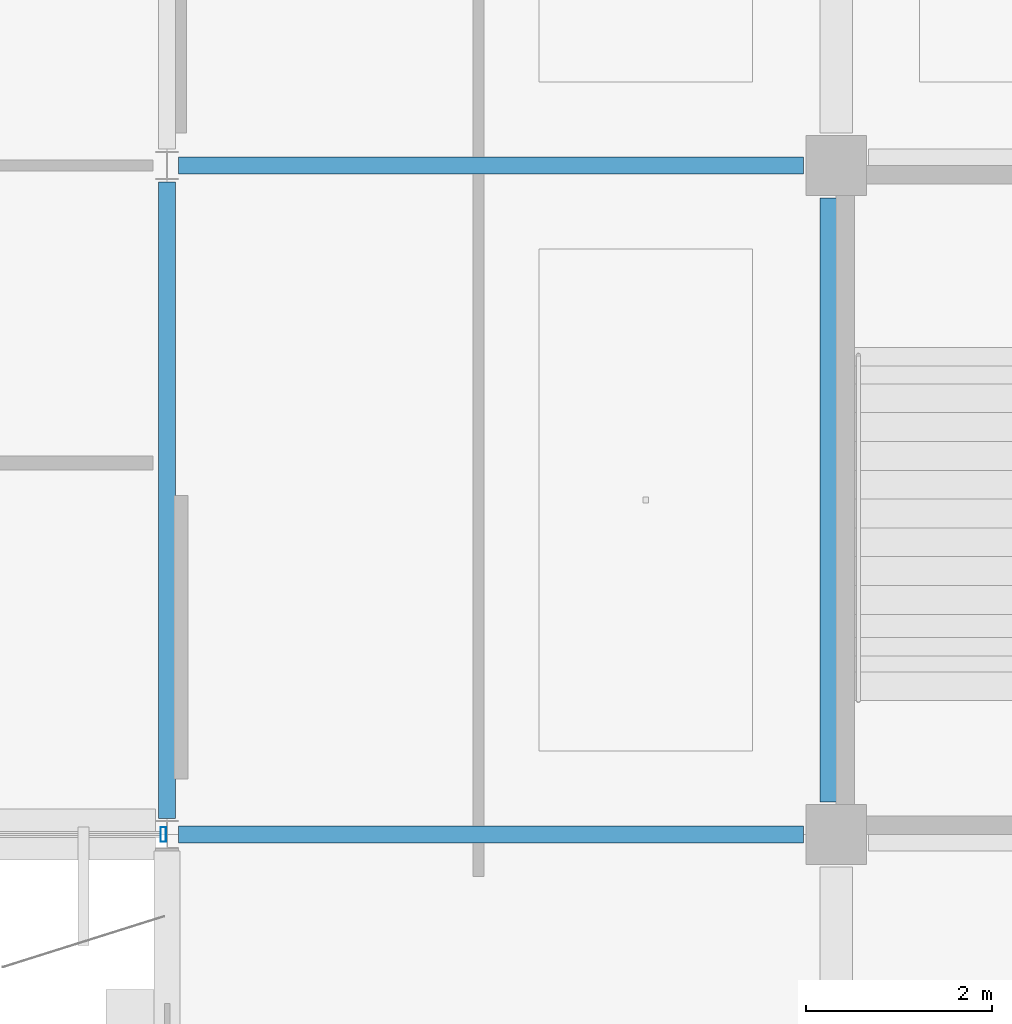
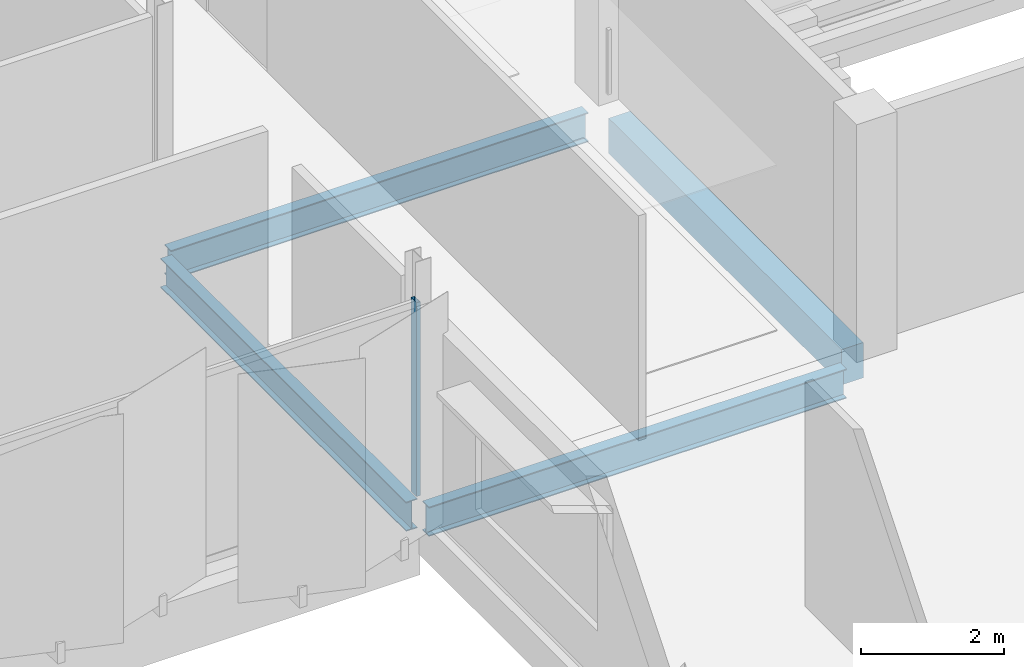
# One storey, part 40 of 77: 4 beams, 1 member, 1 element without a shape of its own.
"""IFC4 building model written with IfcOpenShell, lengths in metres."""

from ifc_helpers import new_model, si_unit, direction, frame, origin, origin_2d, place, context, subcontext, project, spatial, rectangle, hollow_rectangle, i_section, extrude, material, layer, layer_set, material_profile, profile_set, type_object, element, aggregate, save


model = new_model("IFC4")

# Units and contexts
model_context = context("Model", 3, precision=1e-05, world=origin(), true_north=direction((0.0, 1.0)))
body_context = subcontext(model_context, "Body", "Model", "MODEL_VIEW")
ifc_project = project(units=[si_unit("LENGTHUNIT", "METRE"), si_unit("AREAUNIT", "SQUARE_METRE"), si_unit("VOLUMEUNIT", "CUBIC_METRE"), si_unit("PLANEANGLEUNIT", "RADIAN"), si_unit("MASSUNIT", "GRAM", prefix="KILO")], contexts=[model_context])

# Site, building, storey
site_placement = place(None, origin())
site = spatial("IfcSite", under=ifc_project, at=site_placement, CompositionType="ELEMENT")
building_placement = place(site_placement, origin())
building = spatial("IfcBuilding", under=site, at=building_placement, Name="Kangsadwip Square Police Headquarters", CompositionType="ELEMENT")
storey_placement = place(building_placement, frame((0.0, 0.0, 17.550048828125)))
storey = spatial("IfcBuildingStorey", under=building, at=storey_placement, Name="L04", CompositionType="ELEMENT", Elevation=17.550048828125)

# Curtain wall, member
ifc_material_1 = material(Name="Thermally broken anodised aluminium AW-6063-T6", Category="aluminium")
ifc_layer = layer(ifc_material_1, 0.159912109375)
ifc_layer_set = layer_set([ifc_layer], Name="Thermally broken anodised aluminium AW-6063-T6")
curtain_wall_type = type_object("IfcCurtainWallType", Name="CourtScreen7180x3300", PredefinedType="USERDEFINED", material=ifc_layer_set)
curtain_wall_placement = place(storey_placement, origin())
curtain_wall = element("IfcCurtainWall", 1, at=curtain_wall_placement, inside=storey, type_object=curtain_wall_type, Name="Curtain Wall CW-L04-1368-0936", ObjectType="GLAZED_SCREEN", PredefinedType="USERDEFINED")
ifc_material_2 = material(Name="Thermally broken anodised aluminium AW-6063-T6", Category="aluminium")
ifc_material_profile_1 = material_profile(ifc_material_2, hollow_rectangle(XDim=0.06005859375, YDim=0.159912109375, WallThickness=0.00390625, at=origin_2d()), Name="CWM 160X60X4")
ifc_profile_set_1 = profile_set([ifc_material_profile_1], Name="Thermally broken anodised aluminium AW-6063-T6")
member_type = type_object("IfcMemberType", Name="CwMullion135x60", PredefinedType="MULLION", material=ifc_profile_set_1)
member_placement = place(storey_placement, frame((143.9599609375, 93.60009765625, 0.0), z_axis=(0.0, 0.0, 1.0), x_axis=(1.0, 0.0, 0.0)))
member = element("IfcMember", 2, at=member_placement, type_object=member_type, Name="CW-42 mullion 2", PredefinedType="MULLION", context=body_context, shape_type="SweptSolid", body=[
    extrude(hollow_rectangle(XDim=0.06005859375, YDim=0.159912109375, WallThickness=0.00390625, at=origin_2d()), origin(), (0.0, 0.0, 1.0), 3.300048828125),
])
aggregate(curtain_wall, [member])

# Beams
ifc_material_3 = material(Name="Concrete M35 (35 MPa)", Category="concrete")
ifc_material_profile_2 = material_profile(ifc_material_3, rectangle(XDim=0.35009765625, YDim=0.60009765625, at=origin_2d()), Name="RC BM 600X350")
ifc_profile_set_2 = profile_set([ifc_material_profile_2], Name="Concrete M35 (35 MPa)")
beam_type_1 = type_object("IfcBeamType", Name="RcBeam600x350", PredefinedType="BEAM", material=ifc_profile_set_2)
beam_1_placement = place(storey_placement, frame((151.199951171875, 93.949951171875, -0.5400390625), z_axis=(0.0, 1.0, 0.0), x_axis=(-1.0, 0.0, 0.0)))
element("IfcBeam", 3, at=beam_1_placement, inside=storey, type_object=beam_type_1, Name="Beam BM-L04-Y-21-13", PredefinedType="BEAM", context=body_context, shape_type="SweptSolid", body=[
    extrude(rectangle(XDim=0.35009765625, YDim=0.60009765625, at=origin_2d()), origin(), (0.0, 0.0, 1.0), 6.5),
])
ifc_material_4 = material(Name="Structural steel IS 2062 E350 (Grade 350, 350 MPa)", Category="steel")
ifc_material_profile_3 = material_profile(ifc_material_4, i_section(OverallWidth=0.179931640625, OverallDepth=0.5, WebThickness=0.01025390625, FlangeThickness=0.01708984375, at=origin_2d()), Name="ISMB 500")
ifc_profile_set_3 = profile_set([ifc_material_profile_3], Name="Structural steel IS 2062 E350 (Grade 350, 350 MPa)")
beam_type_2 = type_object("IfcBeamType", Name="SteelBeamIsmb500", PredefinedType="BEAM", material=ifc_profile_set_3)
for number, where, z_axis, x_axis, name in (
    (4, (144.125, 93.60009765625, -0.489990234375), (1.0, 0.0, 0.0), (0.0, 1.0, 0.0), "Beam BM-L04-X-20-13"),
    (5, (144.125, 100.800048828125, -0.489990234375), (1.0, 0.0, 0.0), (0.0, 1.0, 0.0), "Beam BM-L04-X-20-14"),
):
    element("IfcBeam", number, at=place(storey_placement, frame(where, z_axis=z_axis, x_axis=x_axis)), inside=storey, type_object=beam_type_2, Name=name, PredefinedType="BEAM", context=body_context, shape_type="SweptSolid", body=[
        extrude(i_section(OverallWidth=0.179931640625, OverallDepth=0.5, WebThickness=0.01025390625, FlangeThickness=0.01708984375, at=origin_2d()), origin(), (0.0, 0.0, 1.0), 6.72509765625),
    ])
beam_2_placement = place(storey_placement, frame((144.0, 93.77490234375, -0.489990234375), z_axis=(0.0, 1.0, 0.0), x_axis=(-1.0, 0.0, 0.0)))
element("IfcBeam", 6, at=beam_2_placement, inside=storey, type_object=beam_type_2, Name="Beam BM-L04-Y-20-13", PredefinedType="BEAM", context=body_context, shape_type="SweptSolid", body=[
    extrude(i_section(OverallWidth=0.179931640625, OverallDepth=0.5, WebThickness=0.01025390625, FlangeThickness=0.01708984375, at=origin_2d()), origin(), (0.0, 0.0, 1.0), 6.85009765625),
])

save(model, "model.ifc")
